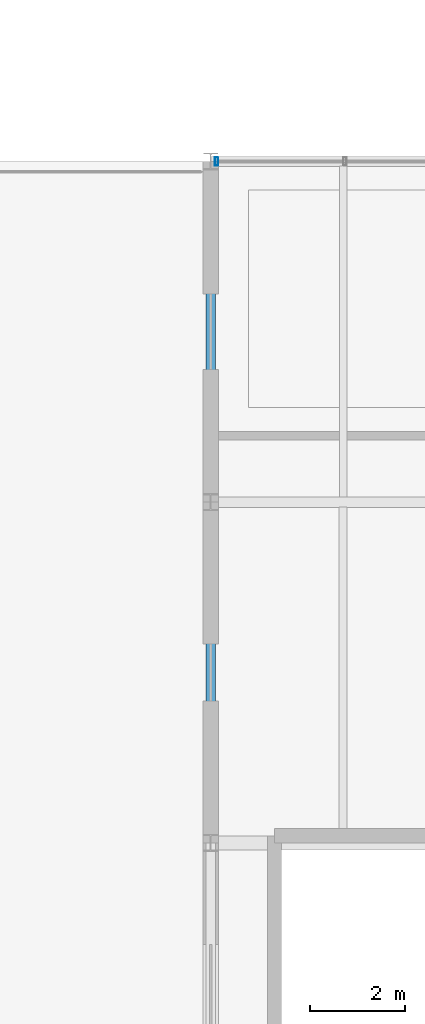
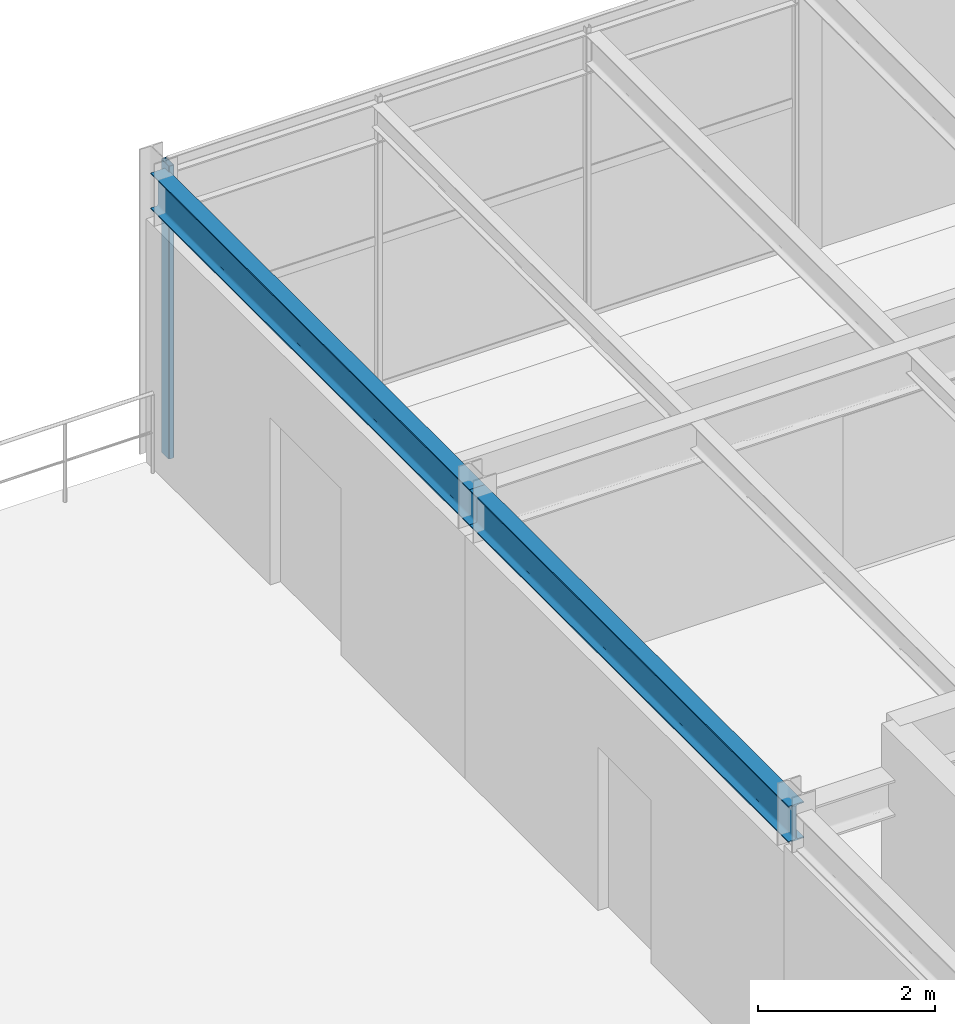
# One storey, part 33 of 134: 2 beams, 1 member, 1 element without a shape of its own.
"""IFC4 building model written with IfcOpenShell, lengths in metres."""

from ifc_helpers import new_model, si_unit, derived_unit, direction, frame, origin, origin_2d, place, context, subcontext, project, spatial, hollow_rectangle, i_section, extrude, material, material_profile, profile_set, type_object, element, aggregate, save


model = new_model("IFC4")

# Units and contexts
model_context = context("Model", 3, precision=1e-05, world=origin(), true_north=direction((0.0, 1.0)))
body_context = subcontext(model_context, "Body", "Model", "MODEL_VIEW")
ifc_project = project(units=[si_unit("LENGTHUNIT", "METRE"), si_unit("AREAUNIT", "SQUARE_METRE"), si_unit("VOLUMEUNIT", "CUBIC_METRE"), si_unit("PLANEANGLEUNIT", "RADIAN"), si_unit("MASSUNIT", "GRAM", prefix="KILO"), derived_unit("THERMALTRANSMITTANCEUNIT", [(si_unit("MASSUNIT", "GRAM", prefix="KILO"), 1), (si_unit("TIMEUNIT", "SECOND"), -3), (si_unit("THERMODYNAMICTEMPERATUREUNIT", "KELVIN"), -1)])], contexts=[model_context])

# Site, building, storey
site_placement = place(None, origin())
site = spatial("IfcSite", under=ifc_project, at=site_placement, CompositionType="ELEMENT")
building_placement = place(site_placement, origin())
building = spatial("IfcBuilding", under=site, at=building_placement, Name="Kharveza Railside Sports Centre", CompositionType="ELEMENT")
storey_placement = place(building_placement, frame((0.0, 0.0, 12.89990234375)))
storey = spatial("IfcBuildingStorey", under=building, at=storey_placement, Name="L03", CompositionType="ELEMENT", Elevation=12.89990234375)

# Beams
ifc_material_1 = material(Name="Steel S355J2", Category="steel")
ifc_material_profile_1 = material_profile(ifc_material_1, i_section(OverallWidth=0.199951171875, OverallDepth=0.5, WebThickness=0.01025390625, FlangeThickness=0.01611328125, FilletRadius=0.02099609375, at=origin_2d()), Name="IPE 500")
ifc_profile_set_1 = profile_set([ifc_material_profile_1], Name="Steel S355J2")
beam_type = type_object("IfcBeamType", Name="BM-G03", PredefinedType="T_BEAM", material=ifc_profile_set_1)
for number, where, z_axis, x_axis, name in (
    (1, (126.0, 21.60009765625, 3.710205078125), (0.0, 1.0, 0.0), (-1.0, 0.0, 0.0), "BM-NS-L03-B03-X1260-Y216"),
    (2, (126.0, 28.800048828125, 3.710205078125), (0.0, 1.0, 0.0), (-1.0, 0.0, 0.0), "BM-NS-L03-B03-X1260-Y288"),
):
    element("IfcBeam", number, at=place(storey_placement, frame(where, z_axis=z_axis, x_axis=x_axis)), inside=storey, type_object=beam_type, Name=name, PredefinedType="T_BEAM", context=body_context, shape_type="SweptSolid", body=[
        extrude(i_section(OverallWidth=0.199951171875, OverallDepth=0.5, WebThickness=0.01025390625, FlangeThickness=0.01611328125, FilletRadius=0.02099609375, at=origin_2d()), origin(), (0.0, 0.0, 1.0), 7.199951171875),
    ])

# Curtain wall, member
ifc_material_2 = material(Name="Low-E solar-control laminated glass", Category="glass")
curtain_wall_type = type_object("IfcCurtainWallType", Name="CW-WG01", PredefinedType="NOTDEFINED", material=ifc_material_2)
curtain_wall_placement = place(storey_placement, origin())
curtain_wall = element("IfcCurtainWall", 3, at=curtain_wall_placement, inside=storey, type_object=curtain_wall_type, Name="CW-WG-L03-CW-WG01-X1302-Y360", PredefinedType="NOTDEFINED")
ifc_material_3 = material(Name="Anodised aluminium 6063-T6", Category="aluminium")
ifc_material_profile_2 = material_profile(ifc_material_3, hollow_rectangle(XDim=0.070068359375, YDim=0.179931640625, WallThickness=0.00634765625, InnerFilletRadius=0.00634765625, OuterFilletRadius=0.0126953125, at=origin_2d()), Name="RHS 70x180x6.3")
ifc_profile_set_2 = profile_set([ifc_material_profile_2], Name="Anodised aluminium 6063-T6")
member_type = type_object("IfcMemberType", Name="CW-ML03", PredefinedType="MULLION", material=ifc_profile_set_2)
member_placement = place(storey_placement, frame((126.1201171875, 36.0, 0.0), z_axis=(0.0, 0.0, 1.0), x_axis=(1.0, 0.0, 0.0)))
member = element("IfcMember", 4, at=member_placement, type_object=member_type, Name="CW-WG-L03-CW-WG01-X1302-Y360-ML4", PredefinedType="MULLION", context=body_context, shape_type="SweptSolid", body=[
    extrude(hollow_rectangle(XDim=0.070068359375, YDim=0.179931640625, WallThickness=0.00634765625, InnerFilletRadius=0.00634765625, OuterFilletRadius=0.0126953125, at=origin_2d()), origin(), (0.0, 0.0, 1.0), 4.03515625),
])
aggregate(curtain_wall, [member])

save(model, "model.ifc")
